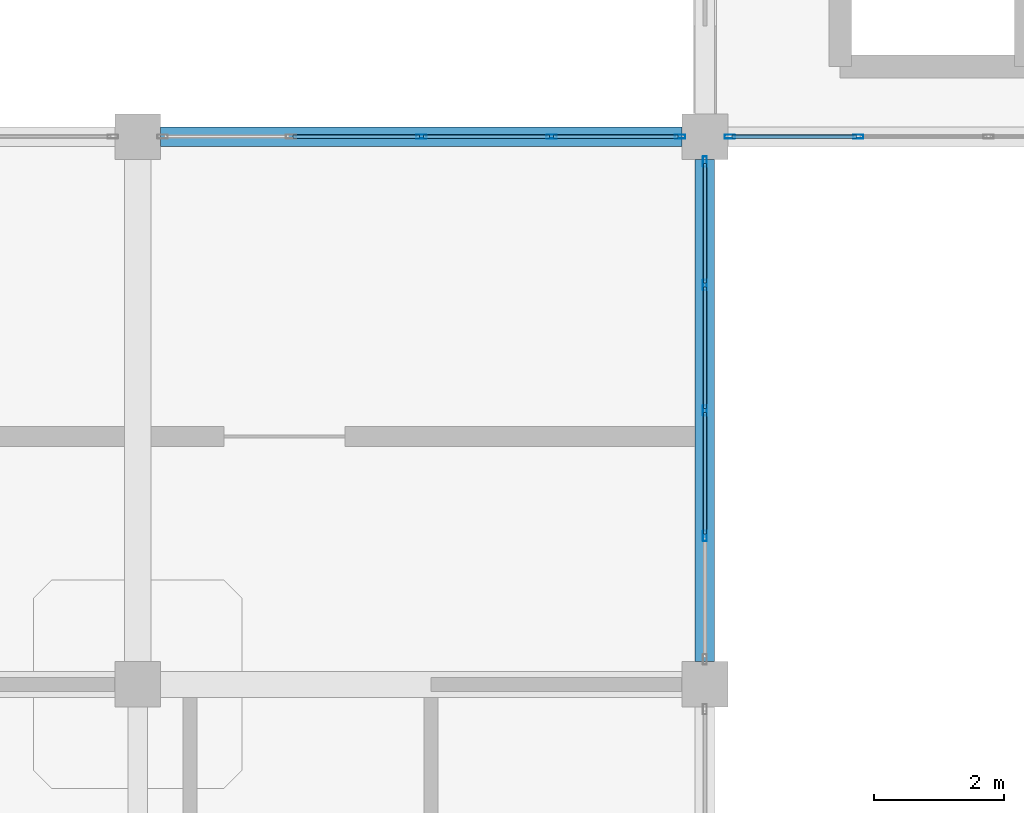
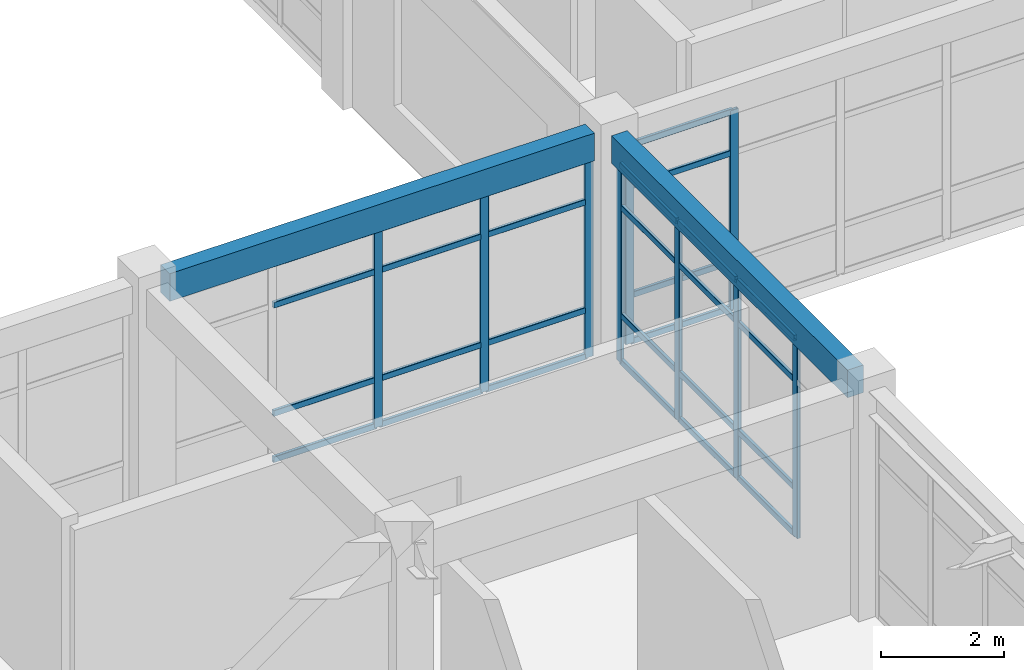
# One storey, part 39 of 76: 37 members, 2 beams, 3 elements without a shape of their own.
"""IFC4 building model written with IfcOpenShell, lengths in metres."""

from ifc_helpers import new_model, si_unit, derived_unit, direction, frame, origin, origin_2d, place, context, subcontext, project, spatial, rectangle, hollow_rectangle, extrude, material, layer, layer_set, material_profile, profile_set, type_object, element, aggregate, save


model = new_model("IFC4")

# Units and contexts
model_context = context("Model", 3, precision=1e-05, world=origin(), true_north=direction((0.0, 1.0)))
body_context = subcontext(model_context, "Body", "Model", "MODEL_VIEW")
ifc_project = project(units=[si_unit("LENGTHUNIT", "METRE"), si_unit("AREAUNIT", "SQUARE_METRE"), si_unit("VOLUMEUNIT", "CUBIC_METRE"), si_unit("PLANEANGLEUNIT", "RADIAN"), si_unit("MASSUNIT", "GRAM", prefix="KILO"), derived_unit("THERMALTRANSMITTANCEUNIT", [(si_unit("MASSUNIT", "GRAM", prefix="KILO"), 1), (si_unit("TIMEUNIT", "SECOND"), -3), (si_unit("THERMODYNAMICTEMPERATUREUNIT", "KELVIN"), -1)])], contexts=[model_context])

# Site, building, storey
site_placement = place(None, origin())
site = spatial("IfcSite", under=ifc_project, at=site_placement, CompositionType="ELEMENT")
building_placement = place(site_placement, origin())
building = spatial("IfcBuilding", under=site, at=building_placement, Name="Qinzheling Arcade Emporium", CompositionType="ELEMENT")
storey_placement = place(building_placement, frame((0.0, 0.0, 26.699951171875)))
storey = spatial("IfcBuildingStorey", under=building, at=storey_placement, Name="L06", CompositionType="ELEMENT", Elevation=26.699951171875)

# Curtain wall, members
ifc_material_1 = material(Name="Anodised aluminium and solar-control double glazing", Category="aluminium")
ifc_layer_1 = layer(ifc_material_1, 0.159912109375, Name="Anodised aluminium and solar-control double glazing", Category="aluminium")
ifc_layer_set_1 = layer_set([ifc_layer_1], Name="Anodised aluminium and solar-control double glazing")
curtain_wall_type_1 = type_object("IfcCurtainWallType", Name="Atrium Clerestory Curtain Wall", PredefinedType="NOTDEFINED", material=ifc_layer_set_1)
curtain_wall_1_placement = place(storey_placement, origin())
curtain_wall_1 = element("IfcCurtainWall", 1, at=curtain_wall_1_placement, inside=storey, type_object=curtain_wall_type_1, Name="Curtain Wall CW-L06-372", PredefinedType="NOTDEFINED")
ifc_material_2 = material(Name="Anodised aluminium 6063-T6", Category="aluminium")
ifc_material_profile_1 = material_profile(ifc_material_2, hollow_rectangle(XDim=0.06005859375, YDim=0.159912109375, WallThickness=0.00390625, InnerFilletRadius=0.00390625, OuterFilletRadius=0.008056640625, at=origin_2d()), Name="RHS 160x60x4", Category="aluminium")
ifc_profile_set_1 = profile_set([ifc_material_profile_1], Name="Anodised aluminium 6063-T6")
member_type_1 = type_object("IfcMemberType", Name="Curtain Wall Mullion RHS160x60", PredefinedType="MULLION", material=ifc_profile_set_1)
member_1_placement = place(storey_placement, frame((100.050048828125, 73.800048828125, 0.0), z_axis=(0.0, 0.0, 1.0), x_axis=(0.0, 1.0, 0.0)))
member_1 = element("IfcMember", 2, at=member_1_placement, type_object=member_type_1, Name="CW03 mullion 3", PredefinedType="MULLION", context=body_context, shape_type="SweptSolid", body=[
    extrude(hollow_rectangle(XDim=0.06005859375, YDim=0.159912109375, WallThickness=0.00390625, InnerFilletRadius=0.00390625, OuterFilletRadius=0.008056640625, at=origin_2d()), origin(), (0.0, 0.0, 1.0), 3.955078125),
])
member_2_placement = place(storey_placement, frame((102.049072265625, 73.800048828125, 0.0), z_axis=(0.0, 0.0, 1.0), x_axis=(0.0, 1.0, 0.0)))
member_2 = element("IfcMember", 3, at=member_2_placement, type_object=member_type_1, Name="CW03 mullion 4", PredefinedType="MULLION", context=body_context, shape_type="SweptSolid", body=[
    extrude(hollow_rectangle(XDim=0.06005859375, YDim=0.159912109375, WallThickness=0.00390625, InnerFilletRadius=0.00390625, OuterFilletRadius=0.008056640625, at=origin_2d()), origin(), (0.0, 0.0, 1.0), 3.955078125),
])
member_3_placement = place(storey_placement, frame((104.01806640625, 73.800048828125, 0.0), z_axis=(0.0, 0.0, 1.0), x_axis=(0.0, 1.0, 0.0)))
member_3 = element("IfcMember", 4, at=member_3_placement, type_object=member_type_1, Name="CW03 mullion 5", PredefinedType="MULLION", context=body_context, shape_type="SweptSolid", body=[
    extrude(hollow_rectangle(XDim=0.06005859375, YDim=0.159912109375, WallThickness=0.00390625, InnerFilletRadius=0.00390625, OuterFilletRadius=0.008056640625, at=origin_2d()), origin(), (0.0, 0.0, 1.0), 3.955078125),
])

curtain_wall_2_placement = place(storey_placement, origin())
curtain_wall_2 = element("IfcCurtainWall", 5, at=curtain_wall_2_placement, inside=storey, type_object=curtain_wall_type_1, Name="Curtain Wall CW-L06-373", PredefinedType="NOTDEFINED")
member_4_placement = place(storey_placement, frame((104.39990234375, 73.41796875, 0.0), z_axis=(0.0, 0.0, 1.0), x_axis=(1.0, 0.0, 0.0)))
member_4 = element("IfcMember", 6, at=member_4_placement, type_object=member_type_1, Name="CW03 mullion 1", PredefinedType="MULLION", context=body_context, shape_type="SweptSolid", body=[
    extrude(hollow_rectangle(XDim=0.06005859375, YDim=0.159912109375, WallThickness=0.00390625, InnerFilletRadius=0.00390625, OuterFilletRadius=0.008056640625, at=origin_2d()), origin(), (0.0, 0.0, 1.0), 3.955078125),
])
member_5_placement = place(storey_placement, frame((104.39990234375, 71.52392578125, 0.0), z_axis=(0.0, 0.0, 1.0), x_axis=(1.0, 0.0, 0.0)))
member_5 = element("IfcMember", 7, at=member_5_placement, type_object=member_type_1, Name="CW03 mullion 2", PredefinedType="MULLION", context=body_context, shape_type="SweptSolid", body=[
    extrude(hollow_rectangle(XDim=0.06005859375, YDim=0.159912109375, WallThickness=0.00390625, InnerFilletRadius=0.00390625, OuterFilletRadius=0.008056640625, at=origin_2d()), origin(), (0.0, 0.0, 1.0), 3.955078125),
])
member_6_placement = place(storey_placement, frame((104.39990234375, 69.60009765625, 0.0), z_axis=(0.0, 0.0, 1.0), x_axis=(1.0, 0.0, 0.0)))
member_6 = element("IfcMember", 8, at=member_6_placement, type_object=member_type_1, Name="CW03 mullion 3", PredefinedType="MULLION", context=body_context, shape_type="SweptSolid", body=[
    extrude(hollow_rectangle(XDim=0.06005859375, YDim=0.159912109375, WallThickness=0.00390625, InnerFilletRadius=0.00390625, OuterFilletRadius=0.008056640625, at=origin_2d()), origin(), (0.0, 0.0, 1.0), 3.955078125),
])
member_7_placement = place(storey_placement, frame((104.39990234375, 67.676025390625, 0.0), z_axis=(0.0, 0.0, 1.0), x_axis=(1.0, 0.0, 0.0)))
member_7 = element("IfcMember", 9, at=member_7_placement, type_object=member_type_1, Name="CW03 mullion 4", PredefinedType="MULLION", context=body_context, shape_type="SweptSolid", body=[
    extrude(hollow_rectangle(XDim=0.06005859375, YDim=0.159912109375, WallThickness=0.00390625, InnerFilletRadius=0.00390625, OuterFilletRadius=0.008056640625, at=origin_2d()), origin(), (0.0, 0.0, 1.0), 3.955078125),
])

ifc_layer_2 = layer(ifc_material_1, 0.159912109375, Name="Anodised aluminium and solar-control double glazing", Category="aluminium")
ifc_layer_set_2 = layer_set([ifc_layer_2], Name="Anodised aluminium and solar-control double glazing")
curtain_wall_type_2 = type_object("IfcCurtainWallType", Name="Arcade Portal Glazed Curtain Wall", PredefinedType="NOTDEFINED", material=ifc_layer_set_2)
curtain_wall_3_placement = place(storey_placement, origin())
curtain_wall_3 = element("IfcCurtainWall", 10, at=curtain_wall_3_placement, inside=storey, type_object=curtain_wall_type_2, Name="Curtain Wall CW-L06-396", PredefinedType="NOTDEFINED")
member_8_placement = place(storey_placement, frame((106.7509765625, 73.800048828125, 0.0), z_axis=(0.0, 0.0, 1.0), x_axis=(0.0, -1.0, 0.0)))
member_8 = element("IfcMember", 11, at=member_8_placement, type_object=member_type_1, Name="CW05 mullion 4", PredefinedType="MULLION", context=body_context, shape_type="SweptSolid", body=[
    extrude(hollow_rectangle(XDim=0.06005859375, YDim=0.159912109375, WallThickness=0.00390625, InnerFilletRadius=0.00390625, OuterFilletRadius=0.008056640625, at=origin_2d()), origin(), (0.0, 0.0, 1.0), 3.969970703125),
])
member_9_placement = place(storey_placement, frame((104.781982421875, 73.800048828125, 0.0), z_axis=(0.0, 0.0, 1.0), x_axis=(0.0, -1.0, 0.0)))
member_9 = element("IfcMember", 12, at=member_9_placement, type_object=member_type_1, Name="CW05 mullion 5", PredefinedType="MULLION", context=body_context, shape_type="SweptSolid", body=[
    extrude(hollow_rectangle(XDim=0.06005859375, YDim=0.159912109375, WallThickness=0.00390625, InnerFilletRadius=0.00390625, OuterFilletRadius=0.008056640625, at=origin_2d()), origin(), (0.0, 0.0, 1.0), 3.969970703125),
])

# Member
ifc_material_profile_2 = material_profile(ifc_material_2, hollow_rectangle(XDim=0.06005859375, YDim=0.1201171875, WallThickness=0.00390625, InnerFilletRadius=0.00390625, OuterFilletRadius=0.008056640625, at=origin_2d()), Name="RHS 120x60x4", Category="aluminium")
ifc_profile_set_2 = profile_set([ifc_material_profile_2], Name="Anodised aluminium 6063-T6")
member_type_2 = type_object("IfcMemberType", Name="Curtain Wall Transom RHS120x60", PredefinedType="USERDEFINED", material=ifc_profile_set_2)
member_10_placement = place(storey_placement, frame((98.0810546875, 73.800048828125, 0.030029296875), z_axis=(1.0, 0.0, 0.0), x_axis=(0.0, 1.0, 0.0)))
member_10 = element("IfcMember", 13, at=member_10_placement, type_object=member_type_2, Name="CW03 transom 2.1", ObjectType="TRANSOM", PredefinedType="USERDEFINED", context=body_context, shape_type="SweptSolid", body=[
    extrude(hollow_rectangle(XDim=0.06005859375, YDim=0.1201171875, WallThickness=0.00390625, InnerFilletRadius=0.00390625, OuterFilletRadius=0.008056640625, at=origin_2d()), origin(), (0.0, 0.0, 1.0), 1.93896484375),
])

member_11_placement = place(storey_placement, frame((98.0810546875, 73.800048828125, 0.949951171875), z_axis=(1.0, 0.0, 0.0), x_axis=(0.0, 1.0, 0.0)))
member_11 = element("IfcMember", 14, at=member_11_placement, type_object=member_type_2, Name="CW03 transom 2.2", ObjectType="TRANSOM", PredefinedType="USERDEFINED", context=body_context, shape_type="SweptSolid", body=[
    extrude(hollow_rectangle(XDim=0.06005859375, YDim=0.1201171875, WallThickness=0.00390625, InnerFilletRadius=0.00390625, OuterFilletRadius=0.008056640625, at=origin_2d()), origin(), (0.0, 0.0, 1.0), 1.93896484375),
])

member_12_placement = place(storey_placement, frame((98.0810546875, 73.800048828125, 3.10498046875), z_axis=(1.0, 0.0, 0.0), x_axis=(0.0, 1.0, 0.0)))
member_12 = element("IfcMember", 15, at=member_12_placement, type_object=member_type_2, Name="CW03 transom 2.3", ObjectType="TRANSOM", PredefinedType="USERDEFINED", context=body_context, shape_type="SweptSolid", body=[
    extrude(hollow_rectangle(XDim=0.06005859375, YDim=0.1201171875, WallThickness=0.00390625, InnerFilletRadius=0.00390625, OuterFilletRadius=0.008056640625, at=origin_2d()), origin(), (0.0, 0.0, 1.0), 1.93896484375),
])

member_13_placement = place(storey_placement, frame((98.0810546875, 73.800048828125, 3.925048828125), z_axis=(1.0, 0.0, 0.0), x_axis=(0.0, 1.0, 0.0)))
member_13 = element("IfcMember", 16, at=member_13_placement, type_object=member_type_2, Name="CW03 transom 2.4", ObjectType="TRANSOM", PredefinedType="USERDEFINED", context=body_context, shape_type="SweptSolid", body=[
    extrude(hollow_rectangle(XDim=0.06005859375, YDim=0.1201171875, WallThickness=0.00390625, InnerFilletRadius=0.00390625, OuterFilletRadius=0.008056640625, at=origin_2d()), origin(), (0.0, 0.0, 1.0), 1.93896484375),
])

member_14_placement = place(storey_placement, frame((100.080078125, 73.800048828125, 0.030029296875), z_axis=(1.0, 0.0, 0.0), x_axis=(0.0, 1.0, 0.0)))
member_14 = element("IfcMember", 17, at=member_14_placement, type_object=member_type_2, Name="CW03 transom 3.1", ObjectType="TRANSOM", PredefinedType="USERDEFINED", context=body_context, shape_type="SweptSolid", body=[
    extrude(hollow_rectangle(XDim=0.06005859375, YDim=0.1201171875, WallThickness=0.00390625, InnerFilletRadius=0.00390625, OuterFilletRadius=0.008056640625, at=origin_2d()), origin(), (0.0, 0.0, 1.0), 1.93896484375),
])

member_15_placement = place(storey_placement, frame((100.080078125, 73.800048828125, 0.949951171875), z_axis=(1.0, 0.0, 0.0), x_axis=(0.0, 1.0, 0.0)))
member_15 = element("IfcMember", 18, at=member_15_placement, type_object=member_type_2, Name="CW03 transom 3.2", ObjectType="TRANSOM", PredefinedType="USERDEFINED", context=body_context, shape_type="SweptSolid", body=[
    extrude(hollow_rectangle(XDim=0.06005859375, YDim=0.1201171875, WallThickness=0.00390625, InnerFilletRadius=0.00390625, OuterFilletRadius=0.008056640625, at=origin_2d()), origin(), (0.0, 0.0, 1.0), 1.93896484375),
])

member_16_placement = place(storey_placement, frame((100.080078125, 73.800048828125, 3.10498046875), z_axis=(1.0, 0.0, 0.0), x_axis=(0.0, 1.0, 0.0)))
member_16 = element("IfcMember", 19, at=member_16_placement, type_object=member_type_2, Name="CW03 transom 3.3", ObjectType="TRANSOM", PredefinedType="USERDEFINED", context=body_context, shape_type="SweptSolid", body=[
    extrude(hollow_rectangle(XDim=0.06005859375, YDim=0.1201171875, WallThickness=0.00390625, InnerFilletRadius=0.00390625, OuterFilletRadius=0.008056640625, at=origin_2d()), origin(), (0.0, 0.0, 1.0), 1.93896484375),
])

member_17_placement = place(storey_placement, frame((100.080078125, 73.800048828125, 3.925048828125), z_axis=(1.0, 0.0, 0.0), x_axis=(0.0, 1.0, 0.0)))
member_17 = element("IfcMember", 20, at=member_17_placement, type_object=member_type_2, Name="CW03 transom 3.4", ObjectType="TRANSOM", PredefinedType="USERDEFINED", context=body_context, shape_type="SweptSolid", body=[
    extrude(hollow_rectangle(XDim=0.06005859375, YDim=0.1201171875, WallThickness=0.00390625, InnerFilletRadius=0.00390625, OuterFilletRadius=0.008056640625, at=origin_2d()), origin(), (0.0, 0.0, 1.0), 1.93896484375),
])

member_18_placement = place(storey_placement, frame((102.0791015625, 73.800048828125, 0.030029296875), z_axis=(1.0, 0.0, 0.0), x_axis=(0.0, 1.0, 0.0)))
member_18 = element("IfcMember", 21, at=member_18_placement, type_object=member_type_2, Name="CW03 transom 4.1", ObjectType="TRANSOM", PredefinedType="USERDEFINED", context=body_context, shape_type="SweptSolid", body=[
    extrude(hollow_rectangle(XDim=0.06005859375, YDim=0.1201171875, WallThickness=0.00390625, InnerFilletRadius=0.00390625, OuterFilletRadius=0.008056640625, at=origin_2d()), origin(), (0.0, 0.0, 1.0), 1.908935546875),
])

member_19_placement = place(storey_placement, frame((102.0791015625, 73.800048828125, 0.949951171875), z_axis=(1.0, 0.0, 0.0), x_axis=(0.0, 1.0, 0.0)))
member_19 = element("IfcMember", 22, at=member_19_placement, type_object=member_type_2, Name="CW03 transom 4.2", ObjectType="TRANSOM", PredefinedType="USERDEFINED", context=body_context, shape_type="SweptSolid", body=[
    extrude(hollow_rectangle(XDim=0.06005859375, YDim=0.1201171875, WallThickness=0.00390625, InnerFilletRadius=0.00390625, OuterFilletRadius=0.008056640625, at=origin_2d()), origin(), (0.0, 0.0, 1.0), 1.908935546875),
])

member_20_placement = place(storey_placement, frame((102.0791015625, 73.800048828125, 3.10498046875), z_axis=(1.0, 0.0, 0.0), x_axis=(0.0, 1.0, 0.0)))
member_20 = element("IfcMember", 23, at=member_20_placement, type_object=member_type_2, Name="CW03 transom 4.3", ObjectType="TRANSOM", PredefinedType="USERDEFINED", context=body_context, shape_type="SweptSolid", body=[
    extrude(hollow_rectangle(XDim=0.06005859375, YDim=0.1201171875, WallThickness=0.00390625, InnerFilletRadius=0.00390625, OuterFilletRadius=0.008056640625, at=origin_2d()), origin(), (0.0, 0.0, 1.0), 1.908935546875),
])

member_21_placement = place(storey_placement, frame((102.0791015625, 73.800048828125, 3.925048828125), z_axis=(1.0, 0.0, 0.0), x_axis=(0.0, 1.0, 0.0)))
member_21 = element("IfcMember", 24, at=member_21_placement, type_object=member_type_2, Name="CW03 transom 4.4", ObjectType="TRANSOM", PredefinedType="USERDEFINED", context=body_context, shape_type="SweptSolid", body=[
    extrude(hollow_rectangle(XDim=0.06005859375, YDim=0.1201171875, WallThickness=0.00390625, InnerFilletRadius=0.00390625, OuterFilletRadius=0.008056640625, at=origin_2d()), origin(), (0.0, 0.0, 1.0), 1.908935546875),
])

aggregate(curtain_wall_1, [member_1, member_2, member_3, member_10, member_11, member_12, member_13, member_14, member_15, member_16, member_17, member_18, member_19, member_20, member_21])

member_22_placement = place(storey_placement, frame((104.39990234375, 73.387939453125, 0.030029296875), z_axis=(0.0, -1.0, 0.0), x_axis=(1.0, 0.0, 0.0)))
member_22 = element("IfcMember", 25, at=member_22_placement, type_object=member_type_2, Name="CW03 transom 1.1", ObjectType="TRANSOM", PredefinedType="USERDEFINED", context=body_context, shape_type="SweptSolid", body=[
    extrude(hollow_rectangle(XDim=0.06005859375, YDim=0.1201171875, WallThickness=0.00390625, InnerFilletRadius=0.00390625, OuterFilletRadius=0.008056640625, at=origin_2d()), origin(), (0.0, 0.0, 1.0), 1.833984375),
])

member_23_placement = place(storey_placement, frame((104.39990234375, 73.387939453125, 0.949951171875), z_axis=(0.0, -1.0, 0.0), x_axis=(1.0, 0.0, 0.0)))
member_23 = element("IfcMember", 26, at=member_23_placement, type_object=member_type_2, Name="CW03 transom 1.2", ObjectType="TRANSOM", PredefinedType="USERDEFINED", context=body_context, shape_type="SweptSolid", body=[
    extrude(hollow_rectangle(XDim=0.06005859375, YDim=0.1201171875, WallThickness=0.00390625, InnerFilletRadius=0.00390625, OuterFilletRadius=0.008056640625, at=origin_2d()), origin(), (0.0, 0.0, 1.0), 1.833984375),
])

member_24_placement = place(storey_placement, frame((104.39990234375, 73.387939453125, 3.10498046875), z_axis=(0.0, -1.0, 0.0), x_axis=(1.0, 0.0, 0.0)))
member_24 = element("IfcMember", 27, at=member_24_placement, type_object=member_type_2, Name="CW03 transom 1.3", ObjectType="TRANSOM", PredefinedType="USERDEFINED", context=body_context, shape_type="SweptSolid", body=[
    extrude(hollow_rectangle(XDim=0.06005859375, YDim=0.1201171875, WallThickness=0.00390625, InnerFilletRadius=0.00390625, OuterFilletRadius=0.008056640625, at=origin_2d()), origin(), (0.0, 0.0, 1.0), 1.833984375),
])

member_25_placement = place(storey_placement, frame((104.39990234375, 73.387939453125, 3.925048828125), z_axis=(0.0, -1.0, 0.0), x_axis=(1.0, 0.0, 0.0)))
member_25 = element("IfcMember", 28, at=member_25_placement, type_object=member_type_2, Name="CW03 transom 1.4", ObjectType="TRANSOM", PredefinedType="USERDEFINED", context=body_context, shape_type="SweptSolid", body=[
    extrude(hollow_rectangle(XDim=0.06005859375, YDim=0.1201171875, WallThickness=0.00390625, InnerFilletRadius=0.00390625, OuterFilletRadius=0.008056640625, at=origin_2d()), origin(), (0.0, 0.0, 1.0), 1.833984375),
])

member_26_placement = place(storey_placement, frame((104.39990234375, 71.493896484375, 0.030029296875), z_axis=(0.0, -1.0, 0.0), x_axis=(1.0, 0.0, 0.0)))
member_26 = element("IfcMember", 29, at=member_26_placement, type_object=member_type_2, Name="CW03 transom 2.1", ObjectType="TRANSOM", PredefinedType="USERDEFINED", context=body_context, shape_type="SweptSolid", body=[
    extrude(hollow_rectangle(XDim=0.06005859375, YDim=0.1201171875, WallThickness=0.00390625, InnerFilletRadius=0.00390625, OuterFilletRadius=0.008056640625, at=origin_2d()), origin(), (0.0, 0.0, 1.0), 1.864013671875),
])

member_27_placement = place(storey_placement, frame((104.39990234375, 71.493896484375, 0.949951171875), z_axis=(0.0, -1.0, 0.0), x_axis=(1.0, 0.0, 0.0)))
member_27 = element("IfcMember", 30, at=member_27_placement, type_object=member_type_2, Name="CW03 transom 2.2", ObjectType="TRANSOM", PredefinedType="USERDEFINED", context=body_context, shape_type="SweptSolid", body=[
    extrude(hollow_rectangle(XDim=0.06005859375, YDim=0.1201171875, WallThickness=0.00390625, InnerFilletRadius=0.00390625, OuterFilletRadius=0.008056640625, at=origin_2d()), origin(), (0.0, 0.0, 1.0), 1.864013671875),
])

member_28_placement = place(storey_placement, frame((104.39990234375, 71.493896484375, 3.10498046875), z_axis=(0.0, -1.0, 0.0), x_axis=(1.0, 0.0, 0.0)))
member_28 = element("IfcMember", 31, at=member_28_placement, type_object=member_type_2, Name="CW03 transom 2.3", ObjectType="TRANSOM", PredefinedType="USERDEFINED", context=body_context, shape_type="SweptSolid", body=[
    extrude(hollow_rectangle(XDim=0.06005859375, YDim=0.1201171875, WallThickness=0.00390625, InnerFilletRadius=0.00390625, OuterFilletRadius=0.008056640625, at=origin_2d()), origin(), (0.0, 0.0, 1.0), 1.864013671875),
])

member_29_placement = place(storey_placement, frame((104.39990234375, 71.493896484375, 3.925048828125), z_axis=(0.0, -1.0, 0.0), x_axis=(1.0, 0.0, 0.0)))
member_29 = element("IfcMember", 32, at=member_29_placement, type_object=member_type_2, Name="CW03 transom 2.4", ObjectType="TRANSOM", PredefinedType="USERDEFINED", context=body_context, shape_type="SweptSolid", body=[
    extrude(hollow_rectangle(XDim=0.06005859375, YDim=0.1201171875, WallThickness=0.00390625, InnerFilletRadius=0.00390625, OuterFilletRadius=0.008056640625, at=origin_2d()), origin(), (0.0, 0.0, 1.0), 1.864013671875),
])

member_30_placement = place(storey_placement, frame((104.39990234375, 69.570068359375, 0.030029296875), z_axis=(0.0, -1.0, 0.0), x_axis=(1.0, 0.0, 0.0)))
member_30 = element("IfcMember", 33, at=member_30_placement, type_object=member_type_2, Name="CW03 transom 3.1", ObjectType="TRANSOM", PredefinedType="USERDEFINED", context=body_context, shape_type="SweptSolid", body=[
    extrude(hollow_rectangle(XDim=0.06005859375, YDim=0.1201171875, WallThickness=0.00390625, InnerFilletRadius=0.00390625, OuterFilletRadius=0.008056640625, at=origin_2d()), origin(), (0.0, 0.0, 1.0), 1.864013671875),
])

member_31_placement = place(storey_placement, frame((104.39990234375, 69.570068359375, 0.949951171875), z_axis=(0.0, -1.0, 0.0), x_axis=(1.0, 0.0, 0.0)))
member_31 = element("IfcMember", 34, at=member_31_placement, type_object=member_type_2, Name="CW03 transom 3.2", ObjectType="TRANSOM", PredefinedType="USERDEFINED", context=body_context, shape_type="SweptSolid", body=[
    extrude(hollow_rectangle(XDim=0.06005859375, YDim=0.1201171875, WallThickness=0.00390625, InnerFilletRadius=0.00390625, OuterFilletRadius=0.008056640625, at=origin_2d()), origin(), (0.0, 0.0, 1.0), 1.864013671875),
])

member_32_placement = place(storey_placement, frame((104.39990234375, 69.570068359375, 3.10498046875), z_axis=(0.0, -1.0, 0.0), x_axis=(1.0, 0.0, 0.0)))
member_32 = element("IfcMember", 35, at=member_32_placement, type_object=member_type_2, Name="CW03 transom 3.3", ObjectType="TRANSOM", PredefinedType="USERDEFINED", context=body_context, shape_type="SweptSolid", body=[
    extrude(hollow_rectangle(XDim=0.06005859375, YDim=0.1201171875, WallThickness=0.00390625, InnerFilletRadius=0.00390625, OuterFilletRadius=0.008056640625, at=origin_2d()), origin(), (0.0, 0.0, 1.0), 1.864013671875),
])

member_33_placement = place(storey_placement, frame((104.39990234375, 69.570068359375, 3.925048828125), z_axis=(0.0, -1.0, 0.0), x_axis=(1.0, 0.0, 0.0)))
member_33 = element("IfcMember", 36, at=member_33_placement, type_object=member_type_2, Name="CW03 transom 3.4", ObjectType="TRANSOM", PredefinedType="USERDEFINED", context=body_context, shape_type="SweptSolid", body=[
    extrude(hollow_rectangle(XDim=0.06005859375, YDim=0.1201171875, WallThickness=0.00390625, InnerFilletRadius=0.00390625, OuterFilletRadius=0.008056640625, at=origin_2d()), origin(), (0.0, 0.0, 1.0), 1.864013671875),
])

aggregate(curtain_wall_2, [member_4, member_5, member_6, member_7, member_22, member_23, member_24, member_25, member_26, member_27, member_28, member_29, member_30, member_31, member_32, member_33])

member_34_placement = place(storey_placement, frame((106.720947265625, 73.800048828125, 0.030029296875), z_axis=(-1.0, 0.0, 0.0), x_axis=(0.0, -1.0, 0.0)))
member_34 = element("IfcMember", 37, at=member_34_placement, type_object=member_type_2, Name="CW05 transom 4.1", ObjectType="TRANSOM", PredefinedType="USERDEFINED", context=body_context, shape_type="SweptSolid", body=[
    extrude(hollow_rectangle(XDim=0.06005859375, YDim=0.1201171875, WallThickness=0.00390625, InnerFilletRadius=0.00390625, OuterFilletRadius=0.008056640625, at=origin_2d()), origin(), (0.0, 0.0, 1.0), 1.908935546875),
])

member_35_placement = place(storey_placement, frame((106.720947265625, 73.800048828125, 0.949951171875), z_axis=(-1.0, 0.0, 0.0), x_axis=(0.0, -1.0, 0.0)))
member_35 = element("IfcMember", 38, at=member_35_placement, type_object=member_type_2, Name="CW05 transom 4.2", ObjectType="TRANSOM", PredefinedType="USERDEFINED", context=body_context, shape_type="SweptSolid", body=[
    extrude(hollow_rectangle(XDim=0.06005859375, YDim=0.1201171875, WallThickness=0.00390625, InnerFilletRadius=0.00390625, OuterFilletRadius=0.008056640625, at=origin_2d()), origin(), (0.0, 0.0, 1.0), 1.908935546875),
])

member_36_placement = place(storey_placement, frame((106.720947265625, 73.800048828125, 3.1201171875), z_axis=(-1.0, 0.0, 0.0), x_axis=(0.0, -1.0, 0.0)))
member_36 = element("IfcMember", 39, at=member_36_placement, type_object=member_type_2, Name="CW05 transom 4.3", ObjectType="TRANSOM", PredefinedType="USERDEFINED", context=body_context, shape_type="SweptSolid", body=[
    extrude(hollow_rectangle(XDim=0.06005859375, YDim=0.1201171875, WallThickness=0.00390625, InnerFilletRadius=0.00390625, OuterFilletRadius=0.008056640625, at=origin_2d()), origin(), (0.0, 0.0, 1.0), 1.908935546875),
])

member_37_placement = place(storey_placement, frame((106.720947265625, 73.800048828125, 3.93994140625), z_axis=(-1.0, 0.0, 0.0), x_axis=(0.0, -1.0, 0.0)))
member_37 = element("IfcMember", 40, at=member_37_placement, type_object=member_type_2, Name="CW05 transom 4.4", ObjectType="TRANSOM", PredefinedType="USERDEFINED", context=body_context, shape_type="SweptSolid", body=[
    extrude(hollow_rectangle(XDim=0.06005859375, YDim=0.1201171875, WallThickness=0.00390625, InnerFilletRadius=0.00390625, OuterFilletRadius=0.008056640625, at=origin_2d()), origin(), (0.0, 0.0, 1.0), 1.908935546875),
])

aggregate(curtain_wall_3, [member_8, member_9, member_34, member_35, member_36, member_37])

# Beams
ifc_material_3 = material(Name="Concrete C40", Category="concrete")
ifc_material_profile_3 = material_profile(ifc_material_3, rectangle(XDim=0.300048828125, YDim=0.550048828125, at=origin_2d()), Name="RC 300x550", Category="concrete")
ifc_profile_set_3 = profile_set([ifc_material_profile_3], Name="Concrete C40")
beam_type = type_object("IfcBeamType", Name="RC Terrace Spandrel Beam 300x550 C40", PredefinedType="SPANDREL", material=ifc_profile_set_3)
beam_1_placement = place(storey_placement, frame((96.050048828125, 73.800048828125, 4.2451171875), z_axis=(1.0, 0.0, 0.0), x_axis=(0.0, 1.0, 0.0)))
element("IfcBeam", 41, at=beam_1_placement, inside=storey, type_object=beam_type, Name="Beam BM-L06-X-J-12", PredefinedType="SPANDREL", context=body_context, shape_type="SweptSolid", body=[
    extrude(rectangle(XDim=0.300048828125, YDim=0.550048828125, at=origin_2d()), origin(), (0.0, 0.0, 1.0), 8.0),
])
beam_2_placement = place(storey_placement, frame((104.39990234375, 65.75, 4.2451171875), z_axis=(0.0, 1.0, 0.0), x_axis=(-1.0, 0.0, 0.0)))
element("IfcBeam", 42, at=beam_2_placement, inside=storey, type_object=beam_type, Name="Beam BM-L06-Y-13-H", PredefinedType="SPANDREL", context=body_context, shape_type="SweptSolid", body=[
    extrude(rectangle(XDim=0.300048828125, YDim=0.550048828125, at=origin_2d()), origin(), (0.0, 0.0, 1.0), 7.699951171875),
])

save(model, "model.ifc")
